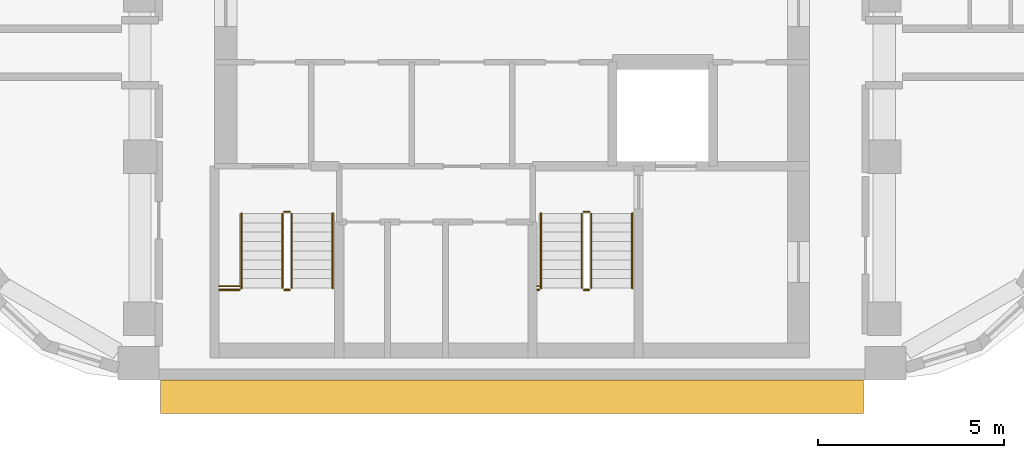
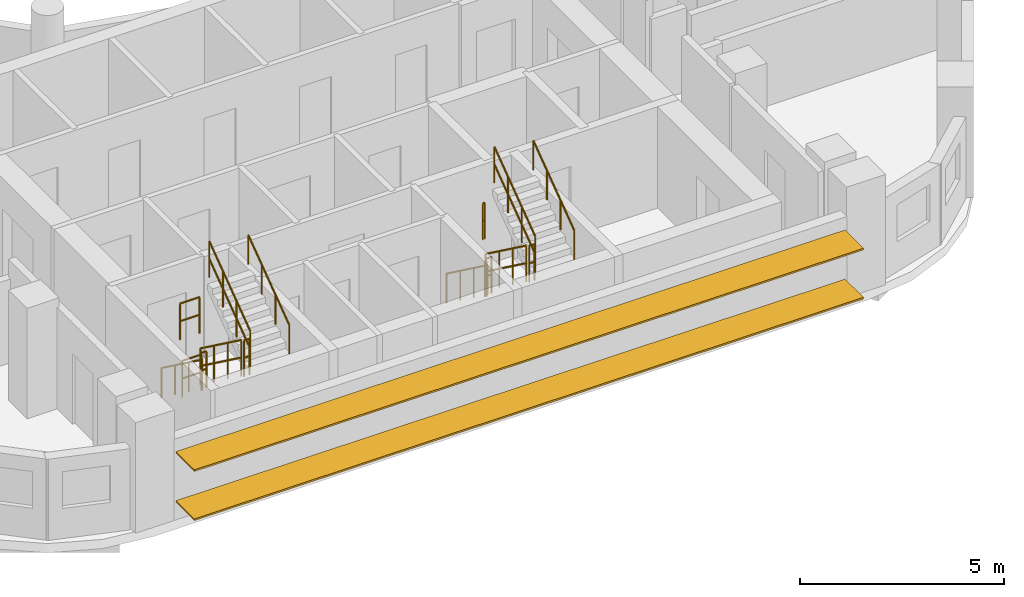
# One storey, part 11 of 13: 16 railings, 2 shading devices.
"""IFC4 building model written with IfcOpenShell, lengths in metres."""

import ifcopenshell
import ifcopenshell.guid

model = None  # the IFC model being written
_history = None  # IfcOwnerHistory: only IFC2X3 demands one
_inside = {}  # id of a spatial element -> (the spatial element, [elements in it])
_under = {}  # id of a project, library or spatial element -> (it, [spatial elements below it])
_declared = {}  # id of a project -> (the project, [libraries it declares])
_typed = {}  # id of a type object -> (the type object, [elements of that type])
_made_of = {}  # id of a material, layer set ... -> (it, [elements and type objects made of it])


def new_model(schema):
    """Start an empty IFC model of exactly this schema.

    Asked for "IFC4X3", IfcOpenShell would pick the latest addendum, in which some entities
    have other attributes; the version numbers below select the first issue.
    IFC2X3 requires an IfcOwnerHistory on every rooted entity: one is made here for all.
    """
    global model, _history
    if schema == "IFC4X3":
        model = ifcopenshell.file(schema_version=(4, 3, 0, 0))
    else:
        model = ifcopenshell.file(schema=schema)
    _inside.clear()
    _under.clear()
    _declared.clear()
    _typed.clear()
    _made_of.clear()
    _history = None
    if model.schema == "IFC2X3":
        org = make("IfcOrganization", Name="unknown")
        user = make(
            "IfcPersonAndOrganization",
            ThePerson=make("IfcPerson", FamilyName="unknown"),
            TheOrganization=org,
        )
        app = make(
            "IfcApplication",
            ApplicationDeveloper=org,
            Version="unknown",
            ApplicationFullName="unknown",
            ApplicationIdentifier="unknown",
        )
        _history = make(
            "IfcOwnerHistory",
            OwningUser=user,
            OwningApplication=app,
            ChangeAction="ADDED",
            CreationDate=0,
        )
    return model


def make(cls, **values):
    """One entity of the class cls with the attributes given. An attribute that is None is left unset."""
    return model.create_entity(
        cls, **{name: value for name, value in values.items() if value is not None}
    )


def rooted(cls, **values):
    """An entity with a GlobalId (a new one), such as an element, a storey or a relation."""
    return make(cls, GlobalId=ifcopenshell.guid.new(), OwnerHistory=_history, **values)


def si_unit(unit_type, name, prefix=None):
    """IfcSIUnit, for example si_unit("LENGTHUNIT", "METRE", prefix="MILLI")."""
    return make("IfcSIUnit", UnitType=unit_type, Prefix=prefix, Name=name)


def assignment(units):
    """IfcUnitAssignment: the units of a project."""
    return None if units is None else make("IfcUnitAssignment", Units=units)


def point(xyz):
    """IfcCartesianPoint."""
    return None if xyz is None else make("IfcCartesianPoint", Coordinates=xyz)


def direction(xyz):
    """IfcDirection."""
    return None if xyz is None else make("IfcDirection", DirectionRatios=xyz)


def frame(location, z_axis=None, x_axis=None):
    """IfcAxis2Placement3D, a coordinate frame: its origin and axes. An axis left out is left unset."""
    return make(
        "IfcAxis2Placement3D",
        Location=point(location),
        Axis=direction(z_axis),
        RefDirection=direction(x_axis),
    )


def frame_2d(location, x_axis=None):
    """IfcAxis2Placement2D, a coordinate frame in the plane: its origin and x axis."""
    return make(
        "IfcAxis2Placement2D", Location=point(location), RefDirection=direction(x_axis)
    )


def origin():
    """The frame at (0, 0, 0) with its axes left unset."""
    return frame((0.0, 0.0, 0.0))


def origin_2d():
    """The frame at (0, 0) in the plane with its x axis left unset."""
    return frame_2d((0.0, 0.0))


def place(relative_to, where):
    """IfcLocalPlacement: puts the frame where relative to a parent placement (None: the world)."""
    return make(
        "IfcLocalPlacement", PlacementRelTo=relative_to, RelativePlacement=where
    )


def context(
    kind, dimensions, precision=None, world=None, true_north=None, identifier=None
):
    """IfcGeometricRepresentationContext, for example the 3D "Model" context."""
    return make(
        "IfcGeometricRepresentationContext",
        ContextIdentifier=identifier,
        ContextType=kind,
        CoordinateSpaceDimension=dimensions,
        Precision=precision,
        WorldCoordinateSystem=world,
        TrueNorth=true_north,
    )


def subcontext(parent, identifier, kind, view, scale=None):
    """IfcGeometricRepresentationSubContext, for example "Body" below "Model"."""
    return make(
        "IfcGeometricRepresentationSubContext",
        ContextIdentifier=identifier,
        ContextType=kind,
        ParentContext=parent,
        TargetScale=scale,
        TargetView=view,
    )


def project(units=None, contexts=None):
    """IfcProject with its units and contexts."""
    return rooted(
        "IfcProject",
        Name="project",
        RepresentationContexts=contexts,
        UnitsInContext=assignment(units),
    )


def spatial(cls, under=None, at=None, **own):
    """A site, building, storey or space (cls), placed at a placement, below another one or the project."""
    s = rooted(cls, ObjectPlacement=at, **own)
    if under is not None:
        _under.setdefault(under.id(), (under, []))[1].append(s)
    return s


def profile(cls, at=None, kind="AREA", **sizes):
    """A parametric profile (cls). Its sizes go by their IFC names, for example OverallWidth=200.0."""
    return make(cls, ProfileType=kind, Position=at, **sizes)


def rectangle(**sizes):
    """IfcRectangleProfileDef."""
    return profile("IfcRectangleProfileDef", **sizes)


def circle(**sizes):
    """IfcCircleProfileDef."""
    return profile("IfcCircleProfileDef", **sizes)


def extrude(swept, where, along, depth):
    """IfcExtrudedAreaSolid: the profile swept, set in the frame where, extruded along a direction by depth."""
    return make(
        "IfcExtrudedAreaSolid",
        SweptArea=swept,
        Position=where,
        ExtrudedDirection=direction(along),
        Depth=depth,
    )


def shape(context_of_items, identifier, shape_type, items):
    """IfcShapeRepresentation: the items that make up one representation, for example the "Body"."""
    return make(
        "IfcShapeRepresentation",
        ContextOfItems=context_of_items,
        RepresentationIdentifier=identifier,
        RepresentationType=shape_type,
        Items=items,
    )


def material(Name=None, Category=None):
    """IfcMaterial."""
    return make("IfcMaterial", Name=Name, Category=Category)


def material_profile(
    of_material, cross_section, Name=None, Category=None, Priority=None
):
    """IfcMaterialProfile: a cross section and its material."""
    return make(
        "IfcMaterialProfile",
        Name=Name,
        Material=of_material,
        Profile=cross_section,
        Priority=Priority,
        Category=Category,
    )


def profile_set(profiles, Name=None, composite=None):
    """IfcMaterialProfileSet."""
    return make(
        "IfcMaterialProfileSet",
        Name=Name,
        MaterialProfiles=profiles,
        CompositeProfile=composite,
    )


def made_of(thing, what):
    """Note that an element or type object is made of a material, layer set ...; save() writes the relation."""
    if what is not None:
        _made_of.setdefault(what.id(), (what, []))[1].append(thing)
    return thing


def type_object(cls, material=None, **own):
    """A type object (cls), such as IfcWallType, which elements share."""
    return made_of(rooted(cls, **own), material)


def element(
    cls,
    number,
    at=None,
    inside=None,
    cuts=None,
    type_object=None,
    material=None,
    context=None,
    identifier="Body",
    shape_type=None,
    held_by="IfcProductDefinitionShape",
    body=None,
    shapes=None,
    **own,
):
    """One element of the class cls, such as IfcWall. Its Tag is "e" and its number.

    at: its placement. inside: the storey or other place that contains it. cuts: it is an
    opening in that element (IfcRelVoidsElement). A single representation is given by context,
    identifier, shape_type and body (its items); several are given by shapes. held_by: the class
    of the entity that holds the representations. save() writes the other relations.
    """
    e = rooted(cls, Tag="e%d" % number, ObjectPlacement=at, **own)
    if body is not None:
        shapes = [shape(context, identifier, shape_type, body)]
    if shapes is not None:
        e.Representation = make(held_by, Representations=shapes)
    if inside is not None:
        _inside.setdefault(inside.id(), (inside, []))[1].append(e)
    if cuts is not None:
        rooted(
            "IfcRelVoidsElement", RelatingBuildingElement=cuts, RelatedOpeningElement=e
        )
    if type_object is not None:
        _typed.setdefault(type_object.id(), (type_object, []))[1].append(e)
    return made_of(e, material)


def aggregate(whole, parts):
    """IfcRelAggregates: a whole, such as a stair, and the parts it consists of."""
    return rooted("IfcRelAggregates", RelatingObject=whole, RelatedObjects=parts)


def save(model, path):
    """Write the relations noted so far, then the file.

    IfcRelAggregates (storeys below a building ...), IfcRelContainedInSpatialStructure (elements
    in a storey), IfcRelDefinesByType, IfcRelAssociatesMaterial and IfcRelDeclares: one each for
    every whole, place, type object, material and project.
    """
    for whole, parts in _under.values():
        aggregate(whole, parts)
    for where, things in _inside.values():
        rooted(
            "IfcRelContainedInSpatialStructure",
            RelatedElements=things,
            RelatingStructure=where,
        )
    for kind, things in _typed.values():
        rooted("IfcRelDefinesByType", RelatedObjects=things, RelatingType=kind)
    for what, things in _made_of.values():
        rooted("IfcRelAssociatesMaterial", RelatedObjects=things, RelatingMaterial=what)
    for by, libraries in _declared.values():
        rooted("IfcRelDeclares", RelatingContext=by, RelatedDefinitions=libraries)
    model.write(path)


model = new_model("IFC4")

# Units and contexts
model_context = context("Model", 3, precision=1e-05, world=origin(), true_north=direction((0.0, 1.0)))
body_context = subcontext(model_context, "Body", "Model", "MODEL_VIEW")
ifc_project = project(units=[si_unit("LENGTHUNIT", "METRE"), si_unit("AREAUNIT", "SQUARE_METRE"), si_unit("VOLUMEUNIT", "CUBIC_METRE"), si_unit("PLANEANGLEUNIT", "RADIAN"), si_unit("MASSUNIT", "GRAM", prefix="KILO")], contexts=[model_context])

# Site, building, storey
site_placement = place(None, origin())
site = spatial("IfcSite", under=ifc_project, at=site_placement, CompositionType="ELEMENT")
building_placement = place(site_placement, origin())
building = spatial("IfcBuilding", under=site, at=building_placement, Name="Nakaniwa Court", CompositionType="ELEMENT")
storey_placement = place(building_placement, frame((0.0, 0.0, 242.699951171875)))
storey = spatial("IfcBuildingStorey", under=building, at=storey_placement, Name="L63", CompositionType="ELEMENT", Elevation=242.699951171875)

# Shading devices
ifc_material_1 = material(Name="Perforated charcoal ceramic louvre blade")
ifc_material_profile = material_profile(ifc_material_1, rectangle(XDim=0.89990234375, YDim=0.050048828125, at=origin_2d()), Name="Perforated ceramic louvre blade")
ifc_profile_set = profile_set([ifc_material_profile], Name="Perforated charcoal ceramic louvre blade")
shading_device_type = type_object("IfcShadingDeviceType", Name="Perforated ceramic louvre blade", PredefinedType="JALOUSIE", material=ifc_profile_set)
for number, where, z_axis, x_axis, name in (
    (1, (70.55078125, 56.89990234375, 0.550048828125), (1.0, 0.0, 0.0), (0.0, 1.0, 0.0), "L63 perforated ceramic louvre blade w26 1"),
    (2, (70.55078125, 56.89990234375, 2.01513671875), (1.0, 0.0, 0.0), (0.0, 1.0, 0.0), "L63 perforated ceramic louvre blade w26 2"),
):
    element("IfcShadingDevice", number, at=place(storey_placement, frame(where, z_axis=z_axis, x_axis=x_axis)), inside=storey, type_object=shading_device_type, Name=name, PredefinedType="JALOUSIE", context=body_context, shape_type="SweptSolid", body=[
        extrude(rectangle(XDim=0.89990234375, YDim=0.050048828125, at=origin_2d()), origin(), (0.0, 0.0, 1.0), 18.892822265625),
    ])

# Railings
ifc_material_2 = material(Name="Black powder coated steel guard", Category="steel")
railing_type_1 = type_object("IfcRailingType", Name="Stair guard 1100", PredefinedType="GUARDRAIL", material=ifc_material_2)
railing_1_placement = place(storey_placement, frame((73.824951171875, 61.824951171875, 0.183349609375)))
element("IfcRailing", 3, at=railing_1_placement, inside=storey, type_object=railing_type_1, Name="L63 ST3 stair guard 1", PredefinedType="GUARDRAIL", context=body_context, shape_type="SweptSolid", body=[
    extrude(circle(Radius=0.02392578125, at=origin_2d()), frame((0.0, 0.0, 1.076171875), z_axis=(0.0, -0.806379959628, 0.591397802423), x_axis=(1.0, 0.0, 0.0)), (0.0, 0.0, 1.0), 2.480224609375),
    extrude(circle(Radius=0.02392578125, at=origin_2d()), frame((0.0, 0.0, 0.550048828125), z_axis=(0.0, -0.806379959628, 0.591397802423), x_axis=(1.0, 0.0, 0.0)), (0.0, 0.0, 1.0), 2.480224609375),
    extrude(circle(Radius=0.02099609375, at=origin_2d()), origin(), (0.0, 0.0, 1.0), 1.052001953125),
    extrude(circle(Radius=0.02099609375, at=origin_2d()), frame((0.0, -0.666748046875, 0.489013671875)), (0.0, 0.0, 1.0), 1.052001953125),
    extrude(circle(Radius=0.02099609375, at=origin_2d()), frame((0.0, -1.333251953125, 0.977783203125)), (0.0, 0.0, 1.0), 1.052001953125),
    extrude(circle(Radius=0.02099609375, at=origin_2d()), frame((0.0, -2.0, 1.466796875)), (0.0, 0.0, 1.0), 1.052001953125),
])
railing_2_placement = place(storey_placement, frame((73.875, 59.77490234375, 1.650146484375)))
element("IfcRailing", 4, at=railing_2_placement, inside=storey, type_object=railing_type_1, Name="L63 ST3 stair guard 2", PredefinedType="GUARDRAIL", context=body_context, shape_type="SweptSolid", body=[
    extrude(circle(Radius=0.02392578125, at=origin_2d()), frame((0.0, 0.0, 1.076171875), z_axis=(1.0, 0.0, 0.0), x_axis=(0.0, 1.0, 0.0)), (0.0, 0.0, 1.0), 0.14990234375),
    extrude(circle(Radius=0.02392578125, at=origin_2d()), frame((0.0, 0.0, 0.550048828125), z_axis=(1.0, 0.0, 0.0), x_axis=(0.0, 1.0, 0.0)), (0.0, 0.0, 1.0), 0.14990234375),
    extrude(circle(Radius=0.02099609375, at=origin_2d()), origin(), (0.0, 0.0, 1.0), 1.052001953125),
    extrude(circle(Radius=0.02099609375, at=origin_2d()), frame((0.14990234375, 0.0, 0.0)), (0.0, 0.0, 1.0), 1.052001953125),
])
railing_3_placement = place(storey_placement, frame((74.074951171875, 59.824951171875, 1.83349609375)))
element("IfcRailing", 5, at=railing_3_placement, inside=storey, type_object=railing_type_1, Name="L63 ST3 stair guard 3", PredefinedType="GUARDRAIL", context=body_context, shape_type="SweptSolid", body=[
    extrude(circle(Radius=0.02392578125, at=origin_2d()), frame((0.0, 0.0, 1.076171875), z_axis=(0.0, 0.806426902644, 0.591333789573), x_axis=(-1.0, 0.0, 0.0)), (0.0, 0.0, 1.0), 2.47998046875),
    extrude(circle(Radius=0.02392578125, at=origin_2d()), frame((0.0, 0.0, 0.550048828125), z_axis=(0.0, 0.806426902644, 0.591333789573), x_axis=(-1.0, 0.0, 0.0)), (0.0, 0.0, 1.0), 2.47998046875),
    extrude(circle(Radius=0.02099609375, at=origin_2d()), origin(), (0.0, 0.0, 1.0), 1.052001953125),
    extrude(circle(Radius=0.02099609375, at=origin_2d()), frame((0.0, 0.666748046875, 0.48876953125)), (0.0, 0.0, 1.0), 1.052001953125),
    extrude(circle(Radius=0.02099609375, at=origin_2d()), frame((0.0, 1.333251953125, 0.977783203125)), (0.0, 0.0, 1.0), 1.052001953125),
    extrude(circle(Radius=0.02099609375, at=origin_2d()), frame((0.0, 2.0, 1.466552734375)), (0.0, 0.0, 1.0), 1.052001953125),
])
railing_4_placement = place(storey_placement, frame((73.875, 61.875, 0.0)))
element("IfcRailing", 6, at=railing_4_placement, inside=storey, type_object=railing_type_1, Name="L63 ST3 stair guard 4", PredefinedType="GUARDRAIL", context=body_context, shape_type="SweptSolid", body=[
    extrude(circle(Radius=0.02392578125, at=origin_2d()), frame((0.0, 0.0, 1.076171875), z_axis=(1.0, 0.0, 0.0), x_axis=(0.0, 1.0, 0.0)), (0.0, 0.0, 1.0), 0.14990234375),
    extrude(circle(Radius=0.02392578125, at=origin_2d()), frame((0.0, 0.0, 0.550048828125), z_axis=(1.0, 0.0, 0.0), x_axis=(0.0, 1.0, 0.0)), (0.0, 0.0, 1.0), 0.14990234375),
    extrude(circle(Radius=0.02099609375, at=origin_2d()), origin(), (0.0, 0.0, 1.0), 1.052001953125),
    extrude(circle(Radius=0.02099609375, at=origin_2d()), frame((0.14990234375, 0.0, 0.0)), (0.0, 0.0, 1.0), 1.052001953125),
])
for number, where, name in (
    (7, (72.125, 59.77490234375, 1.650146484375), "L63 ST3 landing side guard 1W"),
    (8, (72.125, 59.875, 3.300048828125), "L63 ST3 floor edge guard 1W"),
):
    element("IfcRailing", number, at=place(storey_placement, frame(where)), inside=storey, type_object=railing_type_1, Name=name, PredefinedType="GUARDRAIL", context=body_context, shape_type="SweptSolid", body=[
        extrude(circle(Radius=0.02392578125, at=origin_2d()), frame((0.0, 0.0, 1.076171875), z_axis=(1.0, 0.0, 0.0), x_axis=(0.0, 1.0, 0.0)), (0.0, 0.0, 1.0), 0.550048828125),
        extrude(circle(Radius=0.02392578125, at=origin_2d()), frame((0.0, 0.0, 0.550048828125), z_axis=(1.0, 0.0, 0.0), x_axis=(0.0, 1.0, 0.0)), (0.0, 0.0, 1.0), 0.550048828125),
        extrude(circle(Radius=0.02099609375, at=origin_2d()), origin(), (0.0, 0.0, 1.0), 1.052001953125),
        extrude(circle(Radius=0.02099609375, at=origin_2d()), frame((0.550048828125, 0.0, 0.0)), (0.0, 0.0, 1.0), 1.052001953125),
    ])
railing_5_placement = place(storey_placement, frame((81.875, 61.824951171875, 0.183349609375)))
element("IfcRailing", 9, at=railing_5_placement, inside=storey, type_object=railing_type_1, Name="L63 ST4 stair guard 1", PredefinedType="GUARDRAIL", context=body_context, shape_type="SweptSolid", body=[
    extrude(circle(Radius=0.02392578125, at=origin_2d()), frame((0.0, 0.0, 1.076171875), z_axis=(0.0, -0.806379959628, 0.591397802423), x_axis=(1.0, 0.0, 0.0)), (0.0, 0.0, 1.0), 2.480224609375),
    extrude(circle(Radius=0.02392578125, at=origin_2d()), frame((0.0, 0.0, 0.550048828125), z_axis=(0.0, -0.806379959628, 0.591397802423), x_axis=(1.0, 0.0, 0.0)), (0.0, 0.0, 1.0), 2.480224609375),
    extrude(circle(Radius=0.02099609375, at=origin_2d()), origin(), (0.0, 0.0, 1.0), 1.052001953125),
    extrude(circle(Radius=0.02099609375, at=origin_2d()), frame((0.0, -0.666748046875, 0.489013671875)), (0.0, 0.0, 1.0), 1.052001953125),
    extrude(circle(Radius=0.02099609375, at=origin_2d()), frame((0.0, -1.333251953125, 0.977783203125)), (0.0, 0.0, 1.0), 1.052001953125),
    extrude(circle(Radius=0.02099609375, at=origin_2d()), frame((0.0, -2.0, 1.466796875)), (0.0, 0.0, 1.0), 1.052001953125),
])
railing_6_placement = place(storey_placement, frame((81.925048828125, 59.77490234375, 1.650146484375)))
element("IfcRailing", 10, at=railing_6_placement, inside=storey, type_object=railing_type_1, Name="L63 ST4 stair guard 2", PredefinedType="GUARDRAIL", context=body_context, shape_type="SweptSolid", body=[
    extrude(circle(Radius=0.02392578125, at=origin_2d()), frame((0.0, 0.0, 1.076171875), z_axis=(1.0, 0.0, 0.0), x_axis=(0.0, 1.0, 0.0)), (0.0, 0.0, 1.0), 0.14990234375),
    extrude(circle(Radius=0.02392578125, at=origin_2d()), frame((0.0, 0.0, 0.550048828125), z_axis=(1.0, 0.0, 0.0), x_axis=(0.0, 1.0, 0.0)), (0.0, 0.0, 1.0), 0.14990234375),
    extrude(circle(Radius=0.02099609375, at=origin_2d()), origin(), (0.0, 0.0, 1.0), 1.052001953125),
    extrude(circle(Radius=0.02099609375, at=origin_2d()), frame((0.14990234375, 0.0, 0.0)), (0.0, 0.0, 1.0), 1.052001953125),
])
railing_7_placement = place(storey_placement, frame((82.125, 59.824951171875, 1.83349609375)))
element("IfcRailing", 11, at=railing_7_placement, inside=storey, type_object=railing_type_1, Name="L63 ST4 stair guard 3", PredefinedType="GUARDRAIL", context=body_context, shape_type="SweptSolid", body=[
    extrude(circle(Radius=0.02392578125, at=origin_2d()), frame((0.0, 0.0, 1.076171875), z_axis=(0.0, 0.806426902644, 0.591333789573), x_axis=(-1.0, 0.0, 0.0)), (0.0, 0.0, 1.0), 2.47998046875),
    extrude(circle(Radius=0.02392578125, at=origin_2d()), frame((0.0, 0.0, 0.550048828125), z_axis=(0.0, 0.806426902644, 0.591333789573), x_axis=(-1.0, 0.0, 0.0)), (0.0, 0.0, 1.0), 2.47998046875),
    extrude(circle(Radius=0.02099609375, at=origin_2d()), origin(), (0.0, 0.0, 1.0), 1.052001953125),
    extrude(circle(Radius=0.02099609375, at=origin_2d()), frame((0.0, 0.666748046875, 0.48876953125)), (0.0, 0.0, 1.0), 1.052001953125),
    extrude(circle(Radius=0.02099609375, at=origin_2d()), frame((0.0, 1.333251953125, 0.977783203125)), (0.0, 0.0, 1.0), 1.052001953125),
    extrude(circle(Radius=0.02099609375, at=origin_2d()), frame((0.0, 2.0, 1.466552734375)), (0.0, 0.0, 1.0), 1.052001953125),
])
railing_8_placement = place(storey_placement, frame((81.925048828125, 61.875, 0.0)))
element("IfcRailing", 12, at=railing_8_placement, inside=storey, type_object=railing_type_1, Name="L63 ST4 stair guard 4", PredefinedType="GUARDRAIL", context=body_context, shape_type="SweptSolid", body=[
    extrude(circle(Radius=0.02392578125, at=origin_2d()), frame((0.0, 0.0, 1.076171875), z_axis=(1.0, 0.0, 0.0), x_axis=(0.0, 1.0, 0.0)), (0.0, 0.0, 1.0), 0.14990234375),
    extrude(circle(Radius=0.02392578125, at=origin_2d()), frame((0.0, 0.0, 0.550048828125), z_axis=(1.0, 0.0, 0.0), x_axis=(0.0, 1.0, 0.0)), (0.0, 0.0, 1.0), 0.14990234375),
    extrude(circle(Radius=0.02099609375, at=origin_2d()), origin(), (0.0, 0.0, 1.0), 1.052001953125),
    extrude(circle(Radius=0.02099609375, at=origin_2d()), frame((0.14990234375, 0.0, 0.0)), (0.0, 0.0, 1.0), 1.052001953125),
])
for number, where, name in (
    (13, (80.675048828125, 59.77490234375, 1.650146484375), "L63 ST4 landing side guard 1W"),
    (14, (80.675048828125, 59.875, 3.300048828125), "L63 ST4 floor edge guard 1W"),
):
    element("IfcRailing", number, at=place(storey_placement, frame(where)), inside=storey, type_object=railing_type_1, Name=name, PredefinedType="GUARDRAIL", context=body_context, shape_type="SweptSolid", body=[
        extrude(circle(Radius=0.02392578125, at=origin_2d()), frame((0.0, 0.0, 1.076171875), z_axis=(1.0, 0.0, 0.0), x_axis=(0.0, 1.0, 0.0)), (0.0, 0.0, 1.0), 0.050048828125),
        extrude(circle(Radius=0.02392578125, at=origin_2d()), frame((0.0, 0.0, 0.550048828125), z_axis=(1.0, 0.0, 0.0), x_axis=(0.0, 1.0, 0.0)), (0.0, 0.0, 1.0), 0.050048828125),
        extrude(circle(Radius=0.02099609375, at=origin_2d()), origin(), (0.0, 0.0, 1.0), 1.052001953125),
        extrude(circle(Radius=0.02099609375, at=origin_2d()), frame((0.050048828125, 0.0, 0.0)), (0.0, 0.0, 1.0), 1.052001953125),
    ])
ifc_material_3 = material(Name="Black powder coated steel handrail", Category="steel")
railing_type_2 = type_object("IfcRailingType", Name="Stair handrail 900", PredefinedType="HANDRAIL", material=ifc_material_3)
railing_9_placement = place(storey_placement, frame((72.72509765625, 61.824951171875, 0.183349609375)))
element("IfcRailing", 15, at=railing_9_placement, inside=storey, type_object=railing_type_2, Name="L63 ST3 stair handrail 1", PredefinedType="HANDRAIL", context=body_context, shape_type="SweptSolid", body=[
    extrude(circle(Radius=0.02392578125, at=origin_2d()), frame((0.0, 0.0, 0.8759765625), z_axis=(0.0, -0.806379959628, 0.591397802423), x_axis=(1.0, 0.0, 0.0)), (0.0, 0.0, 1.0), 2.480224609375),
    extrude(circle(Radius=0.02099609375, at=origin_2d()), origin(), (0.0, 0.0, 1.0), 0.851806640625),
    extrude(circle(Radius=0.02099609375, at=origin_2d()), frame((0.0, -0.666748046875, 0.489013671875)), (0.0, 0.0, 1.0), 0.851806640625),
    extrude(circle(Radius=0.02099609375, at=origin_2d()), frame((0.0, -1.333251953125, 0.977783203125)), (0.0, 0.0, 1.0), 0.851806640625),
    extrude(circle(Radius=0.02099609375, at=origin_2d()), frame((0.0, -2.0, 1.466796875)), (0.0, 0.0, 1.0), 0.851806640625),
])
railing_10_placement = place(storey_placement, frame((75.175048828125, 59.824951171875, 1.83349609375)))
element("IfcRailing", 16, at=railing_10_placement, inside=storey, type_object=railing_type_2, Name="L63 ST3 stair handrail 2", PredefinedType="HANDRAIL", context=body_context, shape_type="SweptSolid", body=[
    extrude(circle(Radius=0.02392578125, at=origin_2d()), frame((0.0, 0.0, 0.8759765625), z_axis=(0.0, 0.806426902644, 0.591333789573), x_axis=(-1.0, 0.0, 0.0)), (0.0, 0.0, 1.0), 2.47998046875),
    extrude(circle(Radius=0.02099609375, at=origin_2d()), origin(), (0.0, 0.0, 1.0), 0.851806640625),
    extrude(circle(Radius=0.02099609375, at=origin_2d()), frame((0.0, 0.666748046875, 0.48876953125)), (0.0, 0.0, 1.0), 0.851806640625),
    extrude(circle(Radius=0.02099609375, at=origin_2d()), frame((0.0, 1.333251953125, 0.977783203125)), (0.0, 0.0, 1.0), 0.851806640625),
    extrude(circle(Radius=0.02099609375, at=origin_2d()), frame((0.0, 2.0, 1.466552734375)), (0.0, 0.0, 1.0), 0.851806640625),
])
railing_11_placement = place(storey_placement, frame((80.77490234375, 61.824951171875, 0.183349609375)))
element("IfcRailing", 17, at=railing_11_placement, inside=storey, type_object=railing_type_2, Name="L63 ST4 stair handrail 1", PredefinedType="HANDRAIL", context=body_context, shape_type="SweptSolid", body=[
    extrude(circle(Radius=0.02392578125, at=origin_2d()), frame((0.0, 0.0, 0.8759765625), z_axis=(0.0, -0.806379959628, 0.591397802423), x_axis=(1.0, 0.0, 0.0)), (0.0, 0.0, 1.0), 2.480224609375),
    extrude(circle(Radius=0.02099609375, at=origin_2d()), origin(), (0.0, 0.0, 1.0), 0.851806640625),
    extrude(circle(Radius=0.02099609375, at=origin_2d()), frame((0.0, -0.666748046875, 0.489013671875)), (0.0, 0.0, 1.0), 0.851806640625),
    extrude(circle(Radius=0.02099609375, at=origin_2d()), frame((0.0, -1.333251953125, 0.977783203125)), (0.0, 0.0, 1.0), 0.851806640625),
    extrude(circle(Radius=0.02099609375, at=origin_2d()), frame((0.0, -2.0, 1.466796875)), (0.0, 0.0, 1.0), 0.851806640625),
])
railing_12_placement = place(storey_placement, frame((83.22509765625, 59.824951171875, 1.83349609375)))
element("IfcRailing", 18, at=railing_12_placement, inside=storey, type_object=railing_type_2, Name="L63 ST4 stair handrail 2", PredefinedType="HANDRAIL", context=body_context, shape_type="SweptSolid", body=[
    extrude(circle(Radius=0.02392578125, at=origin_2d()), frame((0.0, 0.0, 0.8759765625), z_axis=(0.0, 0.806426902644, 0.591333789573), x_axis=(-1.0, 0.0, 0.0)), (0.0, 0.0, 1.0), 2.47998046875),
    extrude(circle(Radius=0.02099609375, at=origin_2d()), origin(), (0.0, 0.0, 1.0), 0.851806640625),
    extrude(circle(Radius=0.02099609375, at=origin_2d()), frame((0.0, 0.666748046875, 0.48876953125)), (0.0, 0.0, 1.0), 0.851806640625),
    extrude(circle(Radius=0.02099609375, at=origin_2d()), frame((0.0, 1.333251953125, 0.977783203125)), (0.0, 0.0, 1.0), 0.851806640625),
    extrude(circle(Radius=0.02099609375, at=origin_2d()), frame((0.0, 2.0, 1.466552734375)), (0.0, 0.0, 1.0), 0.851806640625),
])

save(model, "model.ifc")
